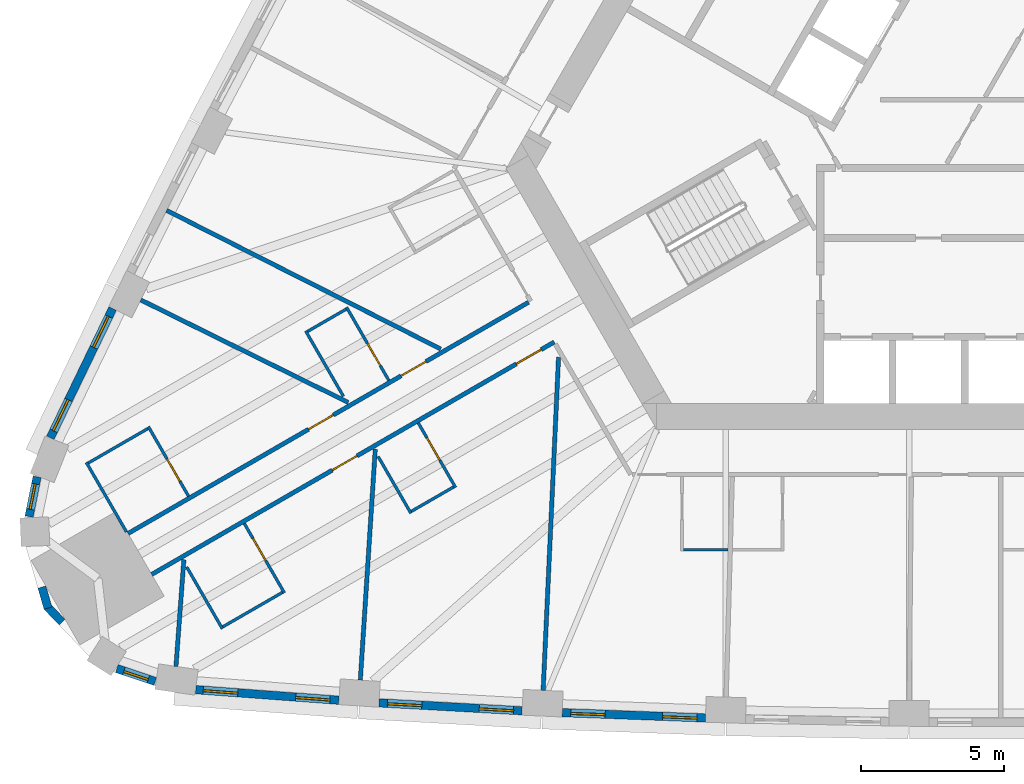
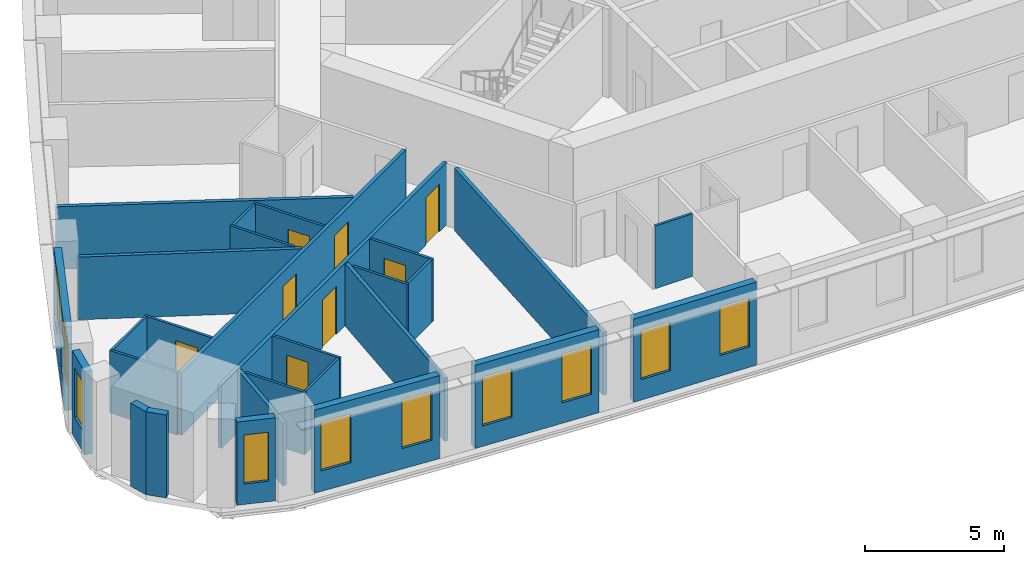
# One storey, part 3 of 13: 28 walls, 10 windows, 8 doors, 18 openings.
"""IFC4 building model written with IfcOpenShell, lengths in metres."""

from ifc_helpers import new_model, si_unit, direction, frame, frame_2d, origin, place, context, subcontext, project, spatial, rectangle, extrude, material, layer, layer_set, type_object, element, fill, save


model = new_model("IFC4")

# Units and contexts
model_context = context("Model", 3, precision=1e-05, world=origin(), true_north=direction((0.0, 1.0)))
body_context = subcontext(model_context, "Body", "Model", "MODEL_VIEW")
ifc_project = project(units=[si_unit("LENGTHUNIT", "METRE"), si_unit("AREAUNIT", "SQUARE_METRE"), si_unit("VOLUMEUNIT", "CUBIC_METRE"), si_unit("PLANEANGLEUNIT", "RADIAN"), si_unit("MASSUNIT", "GRAM", prefix="KILO")], contexts=[model_context])

# Site, building, storey
site_placement = place(None, origin())
site = spatial("IfcSite", under=ifc_project, at=site_placement, CompositionType="ELEMENT")
building_placement = place(site_placement, origin())
building = spatial("IfcBuilding", under=site, at=building_placement, Name="Mestral Congress Tower", CompositionType="ELEMENT")
storey_placement = place(building_placement, frame((0.0, 0.0, 27.60009765625)))
storey = spatial("IfcBuildingStorey", under=building, at=storey_placement, Name="L05", CompositionType="ELEMENT", Elevation=27.60009765625)

# Wall, openings, windows
ifc_material_1 = material(Name="Precast concrete C40/50 with limestone facing", Category="masonry")
ifc_layer_1 = layer(ifc_material_1, 0.2900390625)
ifc_layer_set_1 = layer_set([ifc_layer_1], Name="Precast concrete C40/50 with limestone facing")
wall_type_1 = type_object("IfcWallType", Name="Facade stone wall 290", PredefinedType="SOLIDWALL", material=ifc_layer_set_1)
wall_1_placement = place(storey_placement, frame((-28.097900390625, -22.086181640625, 0.0), z_axis=(0.0, 0.0, 1.0), x_axis=(0.997266290399, -0.073891447643, 0.0)))
wall_1 = element("IfcWall", 1, at=wall_1_placement, inside=storey, type_object=wall_type_1, Name="Facade wall F0-00", PredefinedType="SOLIDWALL", context=body_context, shape_type="SweptSolid", body=[
    extrude(rectangle(XDim=5.005615234375, YDim=0.2900390625, at=frame_2d((2.5029296875, 0.0))), origin(), (0.0, 0.0, 1.0), 3.64990234375),
])
opening_1_placement = place(wall_1_placement, frame((0.26513671875, 0.0, 0.89990234375)))
opening_1 = element("IfcOpeningElement", 2, at=opening_1_placement, cuts=wall_1, Name="Opening W1", PredefinedType="OPENING", context=body_context, shape_type="SweptSolid", body=[
    extrude(rectangle(XDim=1.199951171875, YDim=2.14990234375, at=frame_2d((0.60009765625, 1.074951171875))), frame((0.0, 0.155029296875, 0.0), z_axis=(0.0, -1.0, 0.0), x_axis=(1.0, 0.0, 0.0)), (0.0, 0.0, 1.0), 0.31005859375),
])
opening_2_placement = place(wall_1_placement, frame((3.49560546875, 0.0, 0.89990234375)))
opening_2 = element("IfcOpeningElement", 3, at=opening_2_placement, cuts=wall_1, Name="Opening W1", PredefinedType="OPENING", context=body_context, shape_type="SweptSolid", body=[
    extrude(rectangle(XDim=1.199951171875, YDim=2.14990234375, at=frame_2d((0.60009765625, 1.074951171875))), frame((0.0, 0.155029296875, 0.0), z_axis=(0.0, -1.0, 0.0), x_axis=(1.0, 0.0, 0.0)), (0.0, 0.0, 1.0), 0.31005859375),
])
ifc_material_2 = material(Name="Clear low-emissivity double glazing", Category="glass")
window_type_1 = type_object("IfcWindowType", Name="Facade punched window 1200 x 2150 sill 900", PartitioningType="DOUBLE_PANEL_VERTICAL", PredefinedType="WINDOW", material=ifc_material_2)
window_1_placement = place(opening_1_placement, origin())
window_1 = element("IfcWindow", 4, at=window_1_placement, inside=storey, type_object=window_type_1, Name="Window F0-00a", OverallHeight=2.14990234375, OverallWidth=1.199951171875, PartitioningType="DOUBLE_PANEL_VERTICAL", PredefinedType="WINDOW", context=body_context, shape_type="SweptSolid", body=[
    extrude(rectangle(XDim=1.199951171875, YDim=2.14990234375, at=frame_2d((0.60009765625, 1.074951171875))), frame((0.0, 0.01513671875, 0.0), z_axis=(0.0, -1.0, 0.0), x_axis=(1.0, 0.0, 0.0)), (0.0, 0.0, 1.0), 0.06005859375),
])
fill(opening_1, window_1)
window_2_placement = place(opening_2_placement, origin())
window_2 = element("IfcWindow", 5, at=window_2_placement, inside=storey, type_object=window_type_1, Name="Window F0-00b", OverallHeight=2.14990234375, OverallWidth=1.199951171875, PartitioningType="DOUBLE_PANEL_VERTICAL", PredefinedType="WINDOW", context=body_context, shape_type="SweptSolid", body=[
    extrude(rectangle(XDim=1.199951171875, YDim=2.14990234375, at=frame_2d((0.60009765625, 1.074951171875))), frame((0.0, 0.01513671875, 0.0), z_axis=(0.0, -1.0, 0.0), x_axis=(1.0, 0.0, 0.0)), (0.0, 0.0, 1.0), 0.06005859375),
])
fill(opening_2, window_2)

wall_2_placement = place(storey_placement, frame((-21.701416015625, -22.547119140625, 0.0), z_axis=(0.0, 0.0, 1.0), x_axis=(0.998464708705, -0.055391564976, 0.0)))
wall_2 = element("IfcWall", 6, at=wall_2_placement, inside=storey, type_object=wall_type_1, Name="Facade wall F0-01", PredefinedType="SOLIDWALL", context=body_context, shape_type="SweptSolid", body=[
    extrude(rectangle(XDim=4.998046875, YDim=0.2900390625, at=frame_2d((2.4990234375, 0.0))), origin(), (0.0, 0.0, 1.0), 3.64990234375),
])
opening_3_placement = place(wall_2_placement, frame((0.297119140625, 0.0, 0.89990234375)))
opening_3 = element("IfcOpeningElement", 7, at=opening_3_placement, cuts=wall_2, Name="Opening W1", PredefinedType="OPENING", context=body_context, shape_type="SweptSolid", body=[
    extrude(rectangle(XDim=1.199951171875, YDim=2.14990234375, at=frame_2d((0.60009765625, 1.074951171875))), frame((0.0, 0.155029296875, 0.0), z_axis=(0.0, -1.0, 0.0), x_axis=(1.0, 0.0, 0.0)), (0.0, 0.0, 1.0), 0.31005859375),
])
opening_4_placement = place(wall_2_placement, frame((3.501220703125, 0.0, 0.89990234375)))
opening_4 = element("IfcOpeningElement", 8, at=opening_4_placement, cuts=wall_2, Name="Opening W1", PredefinedType="OPENING", context=body_context, shape_type="SweptSolid", body=[
    extrude(rectangle(XDim=1.199951171875, YDim=2.14990234375, at=frame_2d((0.60009765625, 1.074951171875))), frame((0.0, 0.155029296875, 0.0), z_axis=(0.0, -1.0, 0.0), x_axis=(1.0, 0.0, 0.0)), (0.0, 0.0, 1.0), 0.31005859375),
])
window_3_placement = place(opening_3_placement, origin())
window_3 = element("IfcWindow", 9, at=window_3_placement, inside=storey, type_object=window_type_1, Name="Window F0-01a", OverallHeight=2.14990234375, OverallWidth=1.199951171875, PartitioningType="DOUBLE_PANEL_VERTICAL", PredefinedType="WINDOW", context=body_context, shape_type="SweptSolid", body=[
    extrude(rectangle(XDim=1.199951171875, YDim=2.14990234375, at=frame_2d((0.60009765625, 1.074951171875))), frame((0.0, 0.01513671875, 0.0), z_axis=(0.0, -1.0, 0.0), x_axis=(1.0, 0.0, 0.0)), (0.0, 0.0, 1.0), 0.06005859375),
])
fill(opening_3, window_3)
window_4_placement = place(opening_4_placement, origin())
window_4 = element("IfcWindow", 10, at=window_4_placement, inside=storey, type_object=window_type_1, Name="Window F0-01b", OverallHeight=2.14990234375, OverallWidth=1.199951171875, PartitioningType="DOUBLE_PANEL_VERTICAL", PredefinedType="WINDOW", context=body_context, shape_type="SweptSolid", body=[
    extrude(rectangle(XDim=1.199951171875, YDim=2.14990234375, at=frame_2d((0.60009765625, 1.074951171875))), frame((0.0, 0.01513671875, 0.0), z_axis=(0.0, -1.0, 0.0), x_axis=(1.0, 0.0, 0.0)), (0.0, 0.0, 1.0), 0.06005859375),
])
fill(opening_4, window_4)

wall_3_placement = place(storey_placement, frame((-15.30517578125, -22.88916015625, 0.0), z_axis=(0.0, 0.0, 1.0), x_axis=(0.999317974969, -0.036926750529, 0.0)))
wall_3 = element("IfcWall", 11, at=wall_3_placement, inside=storey, type_object=wall_type_1, Name="Facade wall F0-02", PredefinedType="SOLIDWALL", context=body_context, shape_type="SweptSolid", body=[
    extrude(rectangle(XDim=4.998291015625, YDim=0.2900390625, at=frame_2d((2.4990234375, 0.0))), origin(), (0.0, 0.0, 1.0), 3.64990234375),
])
opening_5_placement = place(wall_3_placement, frame((0.297119140625, 0.0, 0.89990234375)))
opening_5 = element("IfcOpeningElement", 12, at=opening_5_placement, cuts=wall_3, Name="Opening W1", PredefinedType="OPENING", context=body_context, shape_type="SweptSolid", body=[
    extrude(rectangle(XDim=1.199951171875, YDim=2.14990234375, at=frame_2d((0.60009765625, 1.074951171875))), frame((0.0, 0.155029296875, 0.0), z_axis=(0.0, -1.0, 0.0), x_axis=(1.0, 0.0, 0.0)), (0.0, 0.0, 1.0), 0.31005859375),
])
opening_6_placement = place(wall_3_placement, frame((3.501220703125, 0.0, 0.89990234375)))
opening_6 = element("IfcOpeningElement", 13, at=opening_6_placement, cuts=wall_3, Name="Opening W1", PredefinedType="OPENING", context=body_context, shape_type="SweptSolid", body=[
    extrude(rectangle(XDim=1.199951171875, YDim=2.14990234375, at=frame_2d((0.60009765625, 1.074951171875))), frame((0.0, 0.155029296875, 0.0), z_axis=(0.0, -1.0, 0.0), x_axis=(1.0, 0.0, 0.0)), (0.0, 0.0, 1.0), 0.31005859375),
])
window_5_placement = place(opening_5_placement, origin())
window_5 = element("IfcWindow", 14, at=window_5_placement, inside=storey, type_object=window_type_1, Name="Window F0-02a", OverallHeight=2.14990234375, OverallWidth=1.199951171875, PartitioningType="DOUBLE_PANEL_VERTICAL", PredefinedType="WINDOW", context=body_context, shape_type="SweptSolid", body=[
    extrude(rectangle(XDim=1.199951171875, YDim=2.14990234375, at=frame_2d((0.60009765625, 1.074951171875))), frame((0.0, 0.01513671875, 0.0), z_axis=(0.0, -1.0, 0.0), x_axis=(1.0, 0.0, 0.0)), (0.0, 0.0, 1.0), 0.06005859375),
])
fill(opening_5, window_5)
window_6_placement = place(opening_6_placement, origin())
window_6 = element("IfcWindow", 15, at=window_6_placement, inside=storey, type_object=window_type_1, Name="Window F0-02b", OverallHeight=2.14990234375, OverallWidth=1.199951171875, PartitioningType="DOUBLE_PANEL_VERTICAL", PredefinedType="WINDOW", context=body_context, shape_type="SweptSolid", body=[
    extrude(rectangle(XDim=1.199951171875, YDim=2.14990234375, at=frame_2d((0.60009765625, 1.074951171875))), frame((0.0, 0.01513671875, 0.0), z_axis=(0.0, -1.0, 0.0), x_axis=(1.0, 0.0, 0.0)), (0.0, 0.0, 1.0), 0.06005859375),
])
fill(opening_6, window_6)

wall_4_placement = place(storey_placement, frame((-31.000244140625, -8.7822265625, 0.0), z_axis=(0.0, 0.0, 1.0), x_axis=(-0.434664499056, -0.900592456808, 0.0)))
wall_4 = element("IfcWall", 16, at=wall_4_placement, inside=storey, type_object=wall_type_1, Name="Facade wall F2-08", PredefinedType="SOLIDWALL", context=body_context, shape_type="SweptSolid", body=[
    extrude(rectangle(XDim=5.005615234375, YDim=0.2900390625, at=frame_2d((2.5029296875, 0.0))), origin(), (0.0, 0.0, 1.0), 3.64990234375),
])
opening_7_placement = place(wall_4_placement, frame((0.310302734375, 0.0, 0.89990234375)))
opening_7 = element("IfcOpeningElement", 17, at=opening_7_placement, cuts=wall_4, Name="Opening W1", PredefinedType="OPENING", context=body_context, shape_type="SweptSolid", body=[
    extrude(rectangle(XDim=1.199951171875, YDim=2.14990234375, at=frame_2d((0.60009765625, 1.074951171875))), frame((0.0, 0.155029296875, 0.0), z_axis=(0.0, -1.0, 0.0), x_axis=(1.0, 0.0, 0.0)), (0.0, 0.0, 1.0), 0.31005859375),
])
opening_8_placement = place(wall_4_placement, frame((3.54052734375, 0.0, 0.89990234375)))
opening_8 = element("IfcOpeningElement", 18, at=opening_8_placement, cuts=wall_4, Name="Opening W1", PredefinedType="OPENING", context=body_context, shape_type="SweptSolid", body=[
    extrude(rectangle(XDim=1.199951171875, YDim=2.14990234375, at=frame_2d((0.60009765625, 1.074951171875))), frame((0.0, 0.155029296875, 0.0), z_axis=(0.0, -1.0, 0.0), x_axis=(1.0, 0.0, 0.0)), (0.0, 0.0, 1.0), 0.31005859375),
])
window_7_placement = place(opening_7_placement, origin())
window_7 = element("IfcWindow", 19, at=window_7_placement, inside=storey, type_object=window_type_1, Name="Window F2-08a", OverallHeight=2.14990234375, OverallWidth=1.199951171875, PartitioningType="DOUBLE_PANEL_VERTICAL", PredefinedType="WINDOW", context=body_context, shape_type="SweptSolid", body=[
    extrude(rectangle(XDim=1.199951171875, YDim=2.14990234375, at=frame_2d((0.60009765625, 1.074951171875))), frame((0.0, 0.01513671875, 0.0), z_axis=(0.0, -1.0, 0.0), x_axis=(1.0, 0.0, 0.0)), (0.0, 0.0, 1.0), 0.06005859375),
])
fill(opening_7, window_7)
window_8_placement = place(opening_8_placement, origin())
window_8 = element("IfcWindow", 20, at=window_8_placement, inside=storey, type_object=window_type_1, Name="Window F2-08b", OverallHeight=2.14990234375, OverallWidth=1.199951171875, PartitioningType="DOUBLE_PANEL_VERTICAL", PredefinedType="WINDOW", context=body_context, shape_type="SweptSolid", body=[
    extrude(rectangle(XDim=1.199951171875, YDim=2.14990234375, at=frame_2d((0.60009765625, 1.074951171875))), frame((0.0, 0.01513671875, 0.0), z_axis=(0.0, -1.0, 0.0), x_axis=(1.0, 0.0, 0.0)), (0.0, 0.0, 1.0), 0.06005859375),
])
fill(opening_8, window_8)

# Wall, opening, window
wall_5_placement = place(storey_placement, frame((-33.63720703125, -14.656982421875, 0.0), z_axis=(0.0, 0.0, 1.0), x_axis=(-0.198106888228, -0.980180422594, 0.0)))
wall_5 = element("IfcWall", 21, at=wall_5_placement, inside=storey, type_object=wall_type_1, Name="Facade wall K2-0", PredefinedType="SOLIDWALL", context=body_context, shape_type="SweptSolid", body=[
    extrude(rectangle(XDim=1.414794921875, YDim=0.2900390625, at=frame_2d((0.70751953125, 0.0))), origin(), (0.0, 0.0, 1.0), 3.64990234375),
])
opening_9_placement = place(wall_5_placement, frame((0.25732421875, 0.0, 0.89990234375)))
opening_9 = element("IfcOpeningElement", 22, at=opening_9_placement, cuts=wall_5, Name="Opening W3", PredefinedType="OPENING", context=body_context, shape_type="SweptSolid", body=[
    extrude(rectangle(XDim=0.89990234375, YDim=2.14990234375, at=frame_2d((0.449951171875, 1.074951171875))), frame((0.0, 0.155029296875, 0.0), z_axis=(0.0, -1.0, 0.0), x_axis=(1.0, 0.0, 0.0)), (0.0, 0.0, 1.0), 0.31005859375),
])
window_type_2 = type_object("IfcWindowType", Name="Facade punched window 900 x 2150 sill 900", PartitioningType="SINGLE_PANEL", PredefinedType="WINDOW", material=ifc_material_2)
window_9_placement = place(opening_9_placement, origin())
window_9 = element("IfcWindow", 23, at=window_9_placement, inside=storey, type_object=window_type_2, Name="Window K2-0", OverallHeight=2.14990234375, OverallWidth=0.89990234375, PartitioningType="SINGLE_PANEL", PredefinedType="WINDOW", context=body_context, shape_type="SweptSolid", body=[
    extrude(rectangle(XDim=0.89990234375, YDim=2.14990234375, at=frame_2d((0.449951171875, 1.074951171875))), frame((0.0, 0.01513671875, 0.0), z_axis=(0.0, -1.0, 0.0), x_axis=(1.0, 0.0, 0.0)), (0.0, 0.0, 1.0), 0.06005859375),
])
fill(opening_9, window_9)

# Walls
for number, where, z_axis, x_axis, name in (
    (24, (-33.4697265625, -18.507080078125, 0.0), (0.0, 0.0, 1.0), (0.278981320915, -0.960296528464, 0.0), "Facade wall K2-1"),
    (25, (-33.291259765625, -19.180908203125, 0.0), (0.0, 0.0, 1.0), (0.692252359589, -0.721655506903, 0.0), "Facade wall K2-2"),
):
    element("IfcWall", number, at=place(storey_placement, frame(where, z_axis=z_axis, x_axis=x_axis)), inside=storey, type_object=wall_type_1, Name=name, PredefinedType="SOLIDWALL", context=body_context, shape_type="SweptSolid", body=[
        extrude(rectangle(XDim=0.763916015625, YDim=0.2900390625, at=frame_2d((0.3818359375, 0.0))), origin(), (0.0, 0.0, 1.0), 3.64990234375),
    ])

# Wall, opening, window
wall_6_placement = place(storey_placement, frame((-30.852783203125, -21.3515625, 0.0), z_axis=(0.0, 0.0, 1.0), x_axis=(0.947903891592, -0.318556450734, 0.0)))
wall_6 = element("IfcWall", 26, at=wall_6_placement, inside=storey, type_object=wall_type_1, Name="Facade wall K2-3", PredefinedType="SOLIDWALL", context=body_context, shape_type="SweptSolid", body=[
    extrude(rectangle(XDim=1.414794921875, YDim=0.2900390625, at=frame_2d((0.70751953125, 0.0))), origin(), (0.0, 0.0, 1.0), 3.64990234375),
])
opening_10_placement = place(wall_6_placement, frame((0.25732421875, 0.0, 0.89990234375)))
opening_10 = element("IfcOpeningElement", 27, at=opening_10_placement, cuts=wall_6, Name="Opening W3", PredefinedType="OPENING", context=body_context, shape_type="SweptSolid", body=[
    extrude(rectangle(XDim=0.89990234375, YDim=2.14990234375, at=frame_2d((0.449951171875, 1.074951171875))), frame((0.0, 0.155029296875, 0.0), z_axis=(0.0, -1.0, 0.0), x_axis=(1.0, 0.0, 0.0)), (0.0, 0.0, 1.0), 0.31005859375),
])
window_10_placement = place(opening_10_placement, origin())
window_10 = element("IfcWindow", 28, at=window_10_placement, inside=storey, type_object=window_type_2, Name="Window K2-3", OverallHeight=2.14990234375, OverallWidth=0.89990234375, PartitioningType="SINGLE_PANEL", PredefinedType="WINDOW", context=body_context, shape_type="SweptSolid", body=[
    extrude(rectangle(XDim=0.89990234375, YDim=2.14990234375, at=frame_2d((0.449951171875, 1.074951171875))), frame((0.0, 0.01513671875, 0.0), z_axis=(0.0, -1.0, 0.0), x_axis=(1.0, 0.0, 0.0)), (0.0, 0.0, 1.0), 0.06005859375),
])
fill(opening_10, window_10)

# Wall, opening, door
ifc_material_3 = material(Name="Gypsum board partition on metal studs with mineral wool", Category="composite")
ifc_layer_2 = layer(ifc_material_3, 0.10009765625)
ifc_layer_set_2 = layer_set([ifc_layer_2], Name="Gypsum board partition on metal studs with mineral wool")
wall_type_2 = type_object("IfcWallType", Name="Hotel partition wall 100", PredefinedType="PARTITIONING", material=ifc_layer_set_2)
wall_7_placement = place(storey_placement, frame((-25.0048828125, -18.708984375, 0.0), z_axis=(0.0, 0.0, 1.0), x_axis=(-0.49998411664, 0.866034573852, 0.0)))
wall_7 = element("IfcWall", 29, at=wall_7_placement, inside=storey, type_object=wall_type_2, Name="L05-h-pod01a", PredefinedType="PARTITIONING", context=body_context, shape_type="SweptSolid", body=[
    extrude(rectangle(XDim=2.7998046875, YDim=0.10009765625, at=frame_2d((1.39990234375, 0.0))), origin(), (0.0, 0.0, 1.0), 2.75),
])
opening_11_placement = place(wall_7_placement, frame((1.300048828125, 0.0, 0.0)))
opening_11 = element("IfcOpeningElement", 30, at=opening_11_placement, cuts=wall_7, Name="Opening H01-002", PredefinedType="OPENING", context=body_context, shape_type="SweptSolid", body=[
    extrude(rectangle(XDim=0.89990234375, YDim=2.10009765625, at=frame_2d((0.449951171875, 1.050048828125))), frame((0.0, 0.06005859375, 0.0), z_axis=(0.0, -1.0, 0.0), x_axis=(1.0, 0.0, 0.0)), (0.0, 0.0, 1.0), 0.1201171875),
])
ifc_material_4 = material(Name="Timber veneer door leaf in timber frame", Category="wood")
door_type_1 = type_object("IfcDoorType", Name="Bathroom door 900", OperationType="SINGLE_SWING_LEFT", PredefinedType="DOOR", material=ifc_material_4)
door_1_placement = place(opening_11_placement, origin())
door_1 = element("IfcDoor", 31, at=door_1_placement, inside=storey, type_object=door_type_1, Name="L05-h-d002", OperationType="SINGLE_SWING_LEFT", OverallHeight=2.10009765625, OverallWidth=0.89990234375, PredefinedType="DOOR", context=body_context, shape_type="SweptSolid", body=[
    extrude(rectangle(XDim=0.89990234375, YDim=2.10009765625, at=frame_2d((0.449951171875, 1.050048828125))), frame((0.0, 0.02490234375, 0.0), z_axis=(0.0, -1.0, 0.0), x_axis=(1.0, 0.0, 0.0)), (0.0, 0.0, 1.0), 0.050048828125),
])
fill(opening_11, door_1)

# Walls
wall_8_placement = place(storey_placement, frame((-25.072998046875, -18.690673828125, 0.0), z_axis=(0.0, 0.0, 1.0), x_axis=(-0.866050077142, -0.499957262057, 0.0)))
element("IfcWall", 32, at=wall_8_placement, inside=storey, type_object=wall_type_2, Name="L05-h-pod01b", PredefinedType="PARTITIONING", context=body_context, shape_type="SweptSolid", body=[
    extrude(rectangle(XDim=2.400146484375, YDim=0.10009765625, at=frame_2d((1.2001953125, 0.0))), origin(), (0.0, 0.0, 1.0), 2.75),
])
wall_9_placement = place(storey_placement, frame((-28.414794921875, -17.802490234375, 0.0), z_axis=(0.0, 0.0, 1.0), x_axis=(0.499945955465, -0.866056604163, 0.0)))
element("IfcWall", 33, at=wall_9_placement, inside=storey, type_object=wall_type_2, Name="L05-h-pod01c", PredefinedType="PARTITIONING", context=body_context, shape_type="SweptSolid", body=[
    extrude(rectangle(XDim=2.489990234375, YDim=0.10009765625, at=frame_2d((1.2451171875, 0.0))), origin(), (0.0, 0.0, 1.0), 2.75),
])

# Wall, opening, door
wall_10_placement = place(storey_placement, frame((-19.030029296875, -15.028564453125, 0.0), z_axis=(0.0, 0.0, 1.0), x_axis=(-0.500006934395, 0.866021400173, 0.0)))
wall_10 = element("IfcWall", 34, at=wall_10_placement, inside=storey, type_object=wall_type_2, Name="L05-h-pod02a", PredefinedType="PARTITIONING", context=body_context, shape_type="SweptSolid", body=[
    extrude(rectangle(XDim=2.60009765625, YDim=0.10009765625, at=frame_2d((1.300048828125, 0.0))), origin(), (0.0, 0.0, 1.0), 2.75),
])
opening_12_placement = place(wall_10_placement, frame((1.10009765625, 0.0, 0.0)))
opening_12 = element("IfcOpeningElement", 35, at=opening_12_placement, cuts=wall_10, Name="Opening H01-004", PredefinedType="OPENING", context=body_context, shape_type="SweptSolid", body=[
    extrude(rectangle(XDim=0.89990234375, YDim=2.10009765625, at=frame_2d((0.449951171875, 1.050048828125))), frame((0.0, 0.06005859375, 0.0), z_axis=(0.0, -1.0, 0.0), x_axis=(1.0, 0.0, 0.0)), (0.0, 0.0, 1.0), 0.1201171875),
])
door_2_placement = place(opening_12_placement, origin())
door_2 = element("IfcDoor", 36, at=door_2_placement, inside=storey, type_object=door_type_1, Name="L05-h-d004", OperationType="SINGLE_SWING_LEFT", OverallHeight=2.10009765625, OverallWidth=0.89990234375, PredefinedType="DOOR", context=body_context, shape_type="SweptSolid", body=[
    extrude(rectangle(XDim=0.89990234375, YDim=2.10009765625, at=frame_2d((0.449951171875, 1.050048828125))), frame((0.0, 0.02490234375, 0.0), z_axis=(0.0, -1.0, 0.0), x_axis=(1.0, 0.0, 0.0)), (0.0, 0.0, 1.0), 0.050048828125),
])
fill(opening_12, door_2)

# Walls
wall_11_placement = place(storey_placement, frame((-19.098388671875, -15.01025390625, 0.0), z_axis=(0.0, 0.0, 1.0), x_axis=(-0.86605165483, -0.499954529098, 0.0)))
element("IfcWall", 37, at=wall_11_placement, inside=storey, type_object=wall_type_2, Name="L05-h-pod02b", PredefinedType="PARTITIONING", context=body_context, shape_type="SweptSolid", body=[
    extrude(rectangle(XDim=1.699951171875, YDim=0.10009765625, at=frame_2d((0.85009765625, 0.0))), origin(), (0.0, 0.0, 1.0), 2.75),
])
wall_12_placement = place(storey_placement, frame((-21.73388671875, -13.9453125, 0.0), z_axis=(0.0, 0.0, 1.0), x_axis=(0.500014693593, -0.866016920268, 0.0)))
element("IfcWall", 38, at=wall_12_placement, inside=storey, type_object=wall_type_2, Name="L05-h-pod02c", PredefinedType="PARTITIONING", context=body_context, shape_type="SweptSolid", body=[
    extrude(rectangle(XDim=2.2900390625, YDim=0.10009765625, at=frame_2d((1.14501953125, 0.0))), origin(), (0.0, 0.0, 1.0), 2.75),
])
wall_13_placement = place(storey_placement, frame((-11.07666015625, -17.199951171875, 0.0), z_axis=(0.0, 0.0, 1.0), x_axis=(1.0, 0.0, 0.0)))
element("IfcWall", 39, at=wall_13_placement, inside=storey, type_object=wall_type_2, Name="L05-h-pod03b", PredefinedType="PARTITIONING", context=body_context, shape_type="SweptSolid", body=[
    extrude(rectangle(XDim=1.550048828125, YDim=0.10009765625, at=frame_2d((0.77490234375, 0.0))), origin(), (0.0, 0.0, 1.0), 2.75),
])

# Wall, opening, door
wall_14_placement = place(storey_placement, frame((-21.360107421875, -11.29296875, 0.0), z_axis=(0.0, 0.0, 1.0), x_axis=(-0.49997559174, 0.866039495442, 0.0)))
wall_14 = element("IfcWall", 40, at=wall_14_placement, inside=storey, type_object=wall_type_2, Name="L05-h-pod29a", PredefinedType="PARTITIONING", context=body_context, shape_type="SweptSolid", body=[
    extrude(rectangle(XDim=2.949951171875, YDim=0.10009765625, at=frame_2d((1.47509765625, 0.0))), origin(), (0.0, 0.0, 1.0), 2.75),
])
opening_13_placement = place(wall_14_placement, frame((0.60009765625, 0.0, 0.0)))
opening_13 = element("IfcOpeningElement", 41, at=opening_13_placement, cuts=wall_14, Name="Opening H01-055", PredefinedType="OPENING", context=body_context, shape_type="SweptSolid", body=[
    extrude(rectangle(XDim=0.89990234375, YDim=2.10009765625, at=frame_2d((0.449951171875, 1.050048828125))), frame((0.0, 0.06005859375, 0.0), z_axis=(0.0, -1.0, 0.0), x_axis=(1.0, 0.0, 0.0)), (0.0, 0.0, 1.0), 0.1201171875),
])
door_3_placement = place(opening_13_placement, origin())
door_3 = element("IfcDoor", 42, at=door_3_placement, inside=storey, type_object=door_type_1, Name="L05-h-d055", OperationType="SINGLE_SWING_LEFT", OverallHeight=2.10009765625, OverallWidth=0.89990234375, PredefinedType="DOOR", context=body_context, shape_type="SweptSolid", body=[
    extrude(rectangle(XDim=0.89990234375, YDim=2.10009765625, at=frame_2d((0.449951171875, 1.050048828125))), frame((0.0, 0.02490234375, 0.0), z_axis=(0.0, -1.0, 0.0), x_axis=(1.0, 0.0, 0.0)), (0.0, 0.0, 1.0), 0.050048828125),
])
fill(opening_13, door_3)

# Walls
wall_15_placement = place(storey_placement, frame((-22.853271484375, -8.806396484375, 0.0), z_axis=(0.0, 0.0, 1.0), x_axis=(-0.86601511528, -0.500017819788, 0.0)))
element("IfcWall", 43, at=wall_15_placement, inside=storey, type_object=wall_type_2, Name="L05-h-pod29b", PredefinedType="PARTITIONING", context=body_context, shape_type="SweptSolid", body=[
    extrude(rectangle(XDim=1.55029296875, YDim=0.10009765625, at=frame_2d((0.775146484375, 0.0))), origin(), (0.0, 0.0, 1.0), 2.75),
])
wall_16_placement = place(storey_placement, frame((-22.944091796875, -11.849609375, 0.0), z_axis=(0.0, 0.0, 1.0), x_axis=(-0.499938597367, 0.866060851709, 0.0)))
element("IfcWall", 44, at=wall_16_placement, inside=storey, type_object=wall_type_2, Name="L05-h-pod29c", PredefinedType="PARTITIONING", context=body_context, shape_type="SweptSolid", body=[
    extrude(rectangle(XDim=2.639892578125, YDim=0.10009765625, at=frame_2d((1.31982421875, 0.0))), origin(), (0.0, 0.0, 1.0), 2.75),
])

# Wall, opening, door
wall_17_placement = place(storey_placement, frame((-28.352294921875, -15.330078125, 0.0), z_axis=(0.0, 0.0, 1.0), x_axis=(-0.500049511043, 0.865996816683, 0.0)))
wall_17 = element("IfcWall", 45, at=wall_17_placement, inside=storey, type_object=wall_type_2, Name="L05-h-pod30a", PredefinedType="PARTITIONING", context=body_context, shape_type="SweptSolid", body=[
    extrude(rectangle(XDim=2.800048828125, YDim=0.10009765625, at=frame_2d((1.39990234375, 0.0))), origin(), (0.0, 0.0, 1.0), 2.75),
])
opening_14_placement = place(wall_17_placement, frame((0.60009765625, 0.0, 0.0)))
opening_14 = element("IfcOpeningElement", 46, at=opening_14_placement, cuts=wall_17, Name="Opening H01-057", PredefinedType="OPENING", context=body_context, shape_type="SweptSolid", body=[
    extrude(rectangle(XDim=0.89990234375, YDim=2.10009765625, at=frame_2d((0.449951171875, 1.050048828125))), frame((0.0, 0.06005859375, 0.0), z_axis=(0.0, -1.0, 0.0), x_axis=(1.0, 0.0, 0.0)), (0.0, 0.0, 1.0), 0.1201171875),
])
door_4_placement = place(opening_14_placement, origin())
door_4 = element("IfcDoor", 47, at=door_4_placement, inside=storey, type_object=door_type_1, Name="L05-h-d057", OperationType="SINGLE_SWING_RIGHT", OverallHeight=2.10009765625, OverallWidth=0.89990234375, PredefinedType="DOOR", context=body_context, shape_type="SweptSolid", body=[
    extrude(rectangle(XDim=0.89990234375, YDim=2.10009765625, at=frame_2d((0.449951171875, 1.050048828125))), frame((0.0, 0.02490234375, 0.0), z_axis=(0.0, -1.0, 0.0), x_axis=(1.0, 0.0, 0.0)), (0.0, 0.0, 1.0), 0.050048828125),
])
fill(opening_14, door_4)

# Walls
wall_18_placement = place(storey_placement, frame((-29.770751953125, -12.973388671875, 0.0), z_axis=(0.0, 0.0, 1.0), x_axis=(-0.865980596518, -0.500077600433, 0.0)))
element("IfcWall", 48, at=wall_18_placement, inside=storey, type_object=wall_type_2, Name="L05-h-pod30b", PredefinedType="PARTITIONING", context=body_context, shape_type="SweptSolid", body=[
    extrude(rectangle(XDim=2.39990234375, YDim=0.10009765625, at=frame_2d((1.199951171875, 0.0))), origin(), (0.0, 0.0, 1.0), 2.75),
])
wall_19_placement = place(storey_placement, frame((-30.517578125, -16.580078125, 0.0), z_axis=(0.0, 0.0, 1.0), x_axis=(-0.49998411664, 0.866034573852, 0.0)))
element("IfcWall", 49, at=wall_19_placement, inside=storey, type_object=wall_type_2, Name="L05-h-pod30c", PredefinedType="PARTITIONING", context=body_context, shape_type="SweptSolid", body=[
    extrude(rectangle(XDim=2.7998046875, YDim=0.10009765625, at=frame_2d((1.39990234375, 0.0))), origin(), (0.0, 0.0, 1.0), 2.75),
])

# Wall, openings, doors
ifc_layer_3 = layer(ifc_material_3, 0.14990234375)
ifc_layer_set_3 = layer_set([ifc_layer_3], Name="Gypsum board partition on metal studs with mineral wool")
wall_type_3 = type_object("IfcWallType", Name="Hotel partition wall 150", PredefinedType="PARTITIONING", material=ifc_layer_set_3)
wall_20_placement = place(storey_placement, frame((-30.462646484375, -16.635009765625, 0.0), z_axis=(0.0, 0.0, 1.0), x_axis=(0.866022394896, 0.500005211512, 0.0)))
wall_20 = element("IfcWall", 50, at=wall_20_placement, inside=storey, type_object=wall_type_3, Name="L05-h-cw10", PredefinedType="PARTITIONING", context=body_context, shape_type="SweptSolid", body=[
    extrude(rectangle(XDim=16.143798828125, YDim=0.14990234375, at=frame_2d((8.07177734375, 0.0))), origin(), (0.0, 0.0, 1.0), 2.75),
])
opening_15_placement = place(wall_20_placement, frame((11.004150390625, 0.0, 0.0)))
opening_15 = element("IfcOpeningElement", 51, at=opening_15_placement, cuts=wall_20, Name="Opening H01-054", PredefinedType="OPENING", context=body_context, shape_type="SweptSolid", body=[
    extrude(rectangle(XDim=1.0, YDim=2.10009765625, at=frame_2d((0.5, 1.050048828125))), frame((0.0, 0.0849609375, 0.0), z_axis=(0.0, -1.0, 0.0), x_axis=(1.0, 0.0, 0.0)), (0.0, 0.0, 1.0), 0.169921875),
])
opening_16_placement = place(wall_20_placement, frame((7.273681640625, 0.0, 0.0)))
opening_16 = element("IfcOpeningElement", 52, at=opening_16_placement, cuts=wall_20, Name="Opening H01-056", PredefinedType="OPENING", context=body_context, shape_type="SweptSolid", body=[
    extrude(rectangle(XDim=1.0, YDim=2.10009765625, at=frame_2d((0.5, 1.050048828125))), frame((0.0, 0.0849609375, 0.0), z_axis=(0.0, -1.0, 0.0), x_axis=(1.0, 0.0, 0.0)), (0.0, 0.0, 1.0), 0.169921875),
])
ifc_material_5 = material(Name="Timber veneer door leaf in metal frame", Category="wood")
door_type_2 = type_object("IfcDoorType", Name="Guest room entrance door 1000", OperationType="SINGLE_SWING_LEFT", PredefinedType="DOOR", material=ifc_material_5)
door_5_placement = place(opening_15_placement, origin())
door_5 = element("IfcDoor", 53, at=door_5_placement, inside=storey, type_object=door_type_2, Name="L05-h-d054", OperationType="SINGLE_SWING_RIGHT", OverallHeight=2.10009765625, OverallWidth=1.0, PredefinedType="DOOR", context=body_context, shape_type="SweptSolid", body=[
    extrude(rectangle(XDim=1.0, YDim=2.10009765625, at=frame_2d((0.5, 1.050048828125))), frame((0.0, 0.02490234375, 0.0), z_axis=(0.0, -1.0, 0.0), x_axis=(1.0, 0.0, 0.0)), (0.0, 0.0, 1.0), 0.050048828125),
])
fill(opening_15, door_5)
door_6_placement = place(opening_16_placement, origin())
door_6 = element("IfcDoor", 54, at=door_6_placement, inside=storey, type_object=door_type_2, Name="L05-h-d056", OperationType="SINGLE_SWING_RIGHT", OverallHeight=2.10009765625, OverallWidth=1.0, PredefinedType="DOOR", context=body_context, shape_type="SweptSolid", body=[
    extrude(rectangle(XDim=1.0, YDim=2.10009765625, at=frame_2d((0.5, 1.050048828125))), frame((0.0, 0.02490234375, 0.0), z_axis=(0.0, -1.0, 0.0), x_axis=(1.0, 0.0, 0.0)), (0.0, 0.0, 1.0), 0.050048828125),
])
fill(opening_16, door_6)

wall_21_placement = place(storey_placement, frame((-15.58740234375, -9.951904296875, 0.0), z_axis=(0.0, 0.0, 1.0), x_axis=(-0.866022197818, -0.500005552856, 0.0)))
wall_21 = element("IfcWall", 55, at=wall_21_placement, inside=storey, type_object=wall_type_3, Name="L05-h-cw11", PredefinedType="PARTITIONING", context=body_context, shape_type="SweptSolid", body=[
    extrude(rectangle(XDim=16.223876953125, YDim=0.14990234375, at=frame_2d((8.11181640625, 0.0))), origin(), (0.0, 0.0, 1.0), 2.75),
])
opening_17_placement = place(wall_21_placement, frame((7.948974609375, 0.0, 0.0)))
opening_17 = element("IfcOpeningElement", 56, at=opening_17_placement, cuts=wall_21, Name="Opening H01-001", PredefinedType="OPENING", context=body_context, shape_type="SweptSolid", body=[
    extrude(rectangle(XDim=1.0, YDim=2.10009765625, at=frame_2d((0.5, 1.050048828125))), frame((0.0, 0.0849609375, 0.0), z_axis=(0.0, -1.0, 0.0), x_axis=(1.0, 0.0, 0.0)), (0.0, 0.0, 1.0), 0.169921875),
])
opening_18_placement = place(wall_21_placement, frame((0.525146484375, 0.0, 0.0)))
opening_18 = element("IfcOpeningElement", 57, at=opening_18_placement, cuts=wall_21, Name="Opening H01-003", PredefinedType="OPENING", context=body_context, shape_type="SweptSolid", body=[
    extrude(rectangle(XDim=1.0, YDim=2.10009765625, at=frame_2d((0.5, 1.050048828125))), frame((0.0, 0.0849609375, 0.0), z_axis=(0.0, -1.0, 0.0), x_axis=(1.0, 0.0, 0.0)), (0.0, 0.0, 1.0), 0.169921875),
])
door_7_placement = place(opening_17_placement, origin())
door_7 = element("IfcDoor", 58, at=door_7_placement, inside=storey, type_object=door_type_2, Name="L05-h-d001", OperationType="SINGLE_SWING_LEFT", OverallHeight=2.10009765625, OverallWidth=1.0, PredefinedType="DOOR", context=body_context, shape_type="SweptSolid", body=[
    extrude(rectangle(XDim=1.0, YDim=2.10009765625, at=frame_2d((0.5, 1.050048828125))), frame((0.0, 0.02490234375, 0.0), z_axis=(0.0, -1.0, 0.0), x_axis=(1.0, 0.0, 0.0)), (0.0, 0.0, 1.0), 0.050048828125),
])
fill(opening_17, door_7)
door_8_placement = place(opening_18_placement, origin())
door_8 = element("IfcDoor", 59, at=door_8_placement, inside=storey, type_object=door_type_2, Name="L05-h-d003", OperationType="SINGLE_SWING_LEFT", OverallHeight=2.10009765625, OverallWidth=1.0, PredefinedType="DOOR", context=body_context, shape_type="SweptSolid", body=[
    extrude(rectangle(XDim=1.0, YDim=2.10009765625, at=frame_2d((0.5, 1.050048828125))), frame((0.0, 0.02490234375, 0.0), z_axis=(0.0, -1.0, 0.0), x_axis=(1.0, 0.0, 0.0)), (0.0, 0.0, 1.0), 0.050048828125),
])
fill(opening_18, door_8)

# Walls
wall_22_placement = place(storey_placement, frame((-28.78955078125, -21.272705078125, 0.0), z_axis=(0.0, 0.0, 1.0), x_axis=(0.07382592098, 0.997271143366, 0.0)))
element("IfcWall", 60, at=wall_22_placement, inside=storey, type_object=wall_type_3, Name="L05-h-pw01", PredefinedType="PARTITIONING", context=body_context, shape_type="SweptSolid", body=[
    extrude(rectangle(XDim=3.733642578125, YDim=0.14990234375, at=frame_2d((1.86669921875, 0.0))), origin(), (0.0, 0.0, 1.0), 2.75),
])
for number, where, z_axis, x_axis, name in (
    (61, (-30.017578125, -8.48291015625, 0.0), (0.0, 0.0, 1.0), (0.896544505264, -0.44295366584, 0.0), "L05-h-pw02"),
    (62, (-22.355224609375, -21.75439453125, 0.0), (0.0, 0.0, 1.0), (0.064639533143, 0.997908678565, 0.0), "L05-h-pw03"),
):
    element("IfcWall", number, at=place(storey_placement, frame(where, z_axis=z_axis, x_axis=x_axis)), inside=storey, type_object=wall_type_3, Name=name, PredefinedType="PARTITIONING", context=body_context, shape_type="SweptSolid", body=[
        extrude(rectangle(XDim=8.078857421875, YDim=0.14990234375, at=frame_2d((4.03955078125, 0.0))), origin(), (0.0, 0.0, 1.0), 2.75),
    ])
wall_23_placement = place(storey_placement, frame((-29.119873046875, -5.355712890625, 0.0), z_axis=(0.0, 0.0, 1.0), x_axis=(0.892401965553, -0.451241323327, 0.0)))
element("IfcWall", 63, at=wall_23_placement, inside=storey, type_object=wall_type_3, Name="L05-h-pw04", PredefinedType="PARTITIONING", context=body_context, shape_type="SweptSolid", body=[
    extrude(rectangle(XDim=10.728759765625, YDim=0.14990234375, at=frame_2d((5.3642578125, 0.0))), origin(), (0.0, 0.0, 1.0), 2.75),
])
wall_24_placement = place(storey_placement, frame((-15.973388671875, -22.10888671875, 0.0), z_axis=(0.0, 0.0, 1.0), x_axis=(0.046191717129, 0.998932592955, 0.0)))
element("IfcWall", 64, at=wall_24_placement, inside=storey, type_object=wall_type_3, Name="L05-h-pw07", PredefinedType="PARTITIONING", context=body_context, shape_type="SweptSolid", body=[
    extrude(rectangle(XDim=11.638427734375, YDim=0.14990234375, at=frame_2d((5.8193359375, 0.0))), origin(), (0.0, 0.0, 1.0), 2.75),
])

save(model, "model.ifc")
